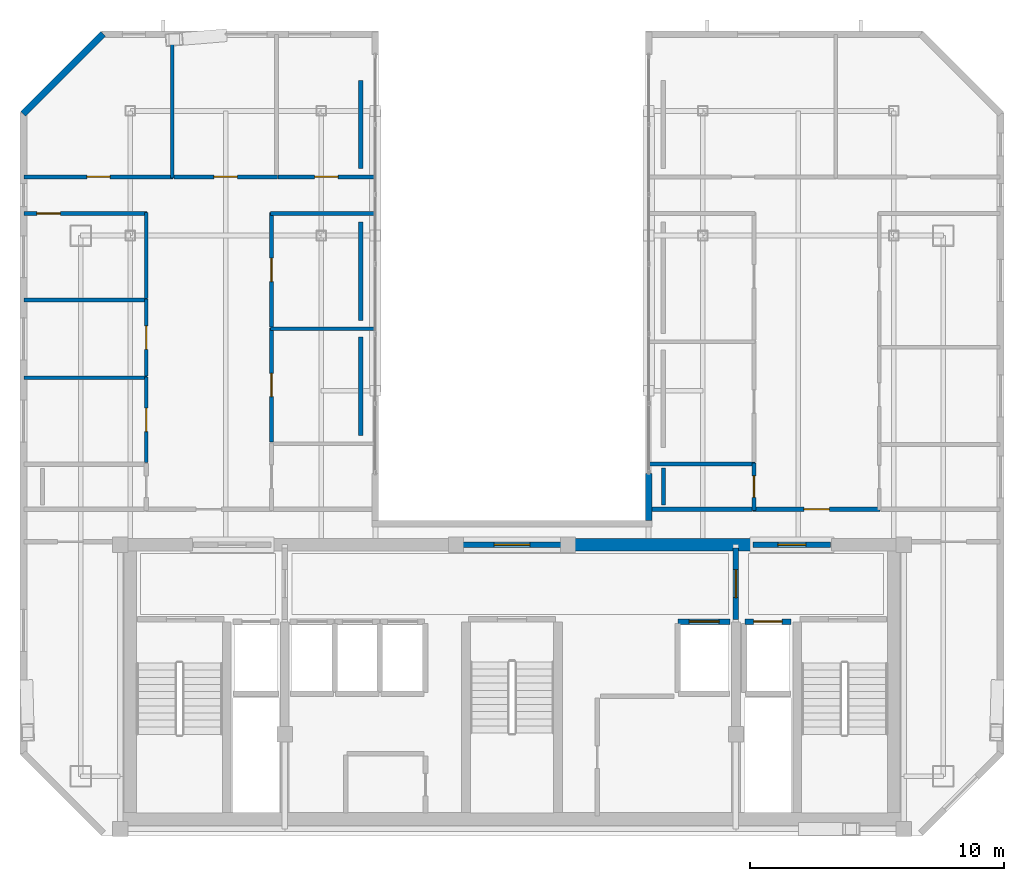
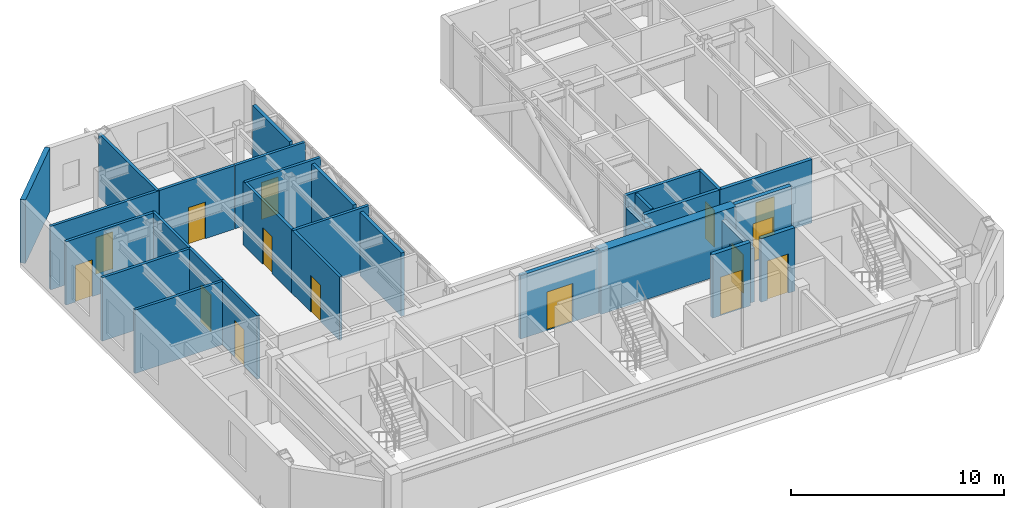
# One storey, part 15 of 18: 30 walls, 15 doors, 15 openings.
"""IFC4 building model written with IfcOpenShell, lengths in metres."""

from ifc_helpers import new_model, si_unit, direction, frame, frame_2d, origin, place, context, subcontext, project, spatial, rectangle, extrude, material, layer, layer_set, type_object, element, fill, save


model = new_model("IFC4")

# Units and contexts
model_context = context("Model", 3, precision=1e-05, world=origin(), true_north=direction((0.0, 1.0)))
body_context = subcontext(model_context, "Body", "Model", "MODEL_VIEW")
ifc_project = project(units=[si_unit("LENGTHUNIT", "METRE"), si_unit("AREAUNIT", "SQUARE_METRE"), si_unit("VOLUMEUNIT", "CUBIC_METRE"), si_unit("PLANEANGLEUNIT", "RADIAN"), si_unit("MASSUNIT", "GRAM", prefix="KILO")], contexts=[model_context])

# Site, building, storey
site_placement = place(None, origin())
site = spatial("IfcSite", under=ifc_project, at=site_placement, CompositionType="ELEMENT")
building_placement = place(site_placement, origin())
building = spatial("IfcBuilding", under=site, at=building_placement, Name="Ventersveld Concourse Tower", CompositionType="ELEMENT")
storey_placement = place(building_placement, frame((0.0, 0.0, 341.35009765625)))
storey = spatial("IfcBuildingStorey", under=building, at=storey_placement, Name="L84", CompositionType="ELEMENT", Elevation=341.35009765625)

# Wall
ifc_material_1 = material(Name="Concrete C50/60", Category="concrete")
ifc_layer_1 = layer(ifc_material_1, 0.5)
ifc_layer_set_1 = layer_set([ifc_layer_1], Name="Concrete C50/60")
wall_type_1 = type_object("IfcWallType", Name="WL-CORE-500", PredefinedType="SHEAR", material=ifc_layer_set_1)
wall_1_placement = place(storey_placement, frame((30.89990234375, 11.449951171875, 0.0), z_axis=(0.0, 0.0, 1.0), x_axis=(1.0, 0.0, 0.0)))
element("IfcWall", 1, at=wall_1_placement, inside=storey, type_object=wall_type_1, Name="L84 Rear Core North Shear Wall NMR", PredefinedType="SHEAR", context=body_context, shape_type="SweptSolid", body=[
    extrude(rectangle(XDim=7.300048828125, YDim=0.5, at=frame_2d((3.64990234375, 0.0))), origin(), (0.0, 0.0, 1.0), 3.6298828125),
])

# Wall, opening, door
ifc_material_2 = material(Name="Fire-rated autoclaved aerated masonry blockwork", Category="masonry")
ifc_layer_2 = layer(ifc_material_2, 0.179931640625)
ifc_layer_set_2 = layer_set([ifc_layer_2], Name="Fire-rated autoclaved aerated masonry blockwork")
wall_type_2 = type_object("IfcWallType", Name="WL-CORR-180", PredefinedType="PARTITIONING", material=ifc_layer_set_2)
wall_2_placement = place(storey_placement, frame((38.225341796875, 12.840087890625, 0.0), z_axis=(0.0, 0.0, 1.0), x_axis=(1.0, 0.0, 0.0)))
wall_2 = element("IfcWall", 2, at=wall_2_placement, inside=storey, type_object=wall_type_2, Name="L84 Interior Partition SP-L84-COR-E-SP-L84-84EB-LIV", PredefinedType="PARTITIONING", context=body_context, shape_type="SweptSolid", body=[
    extrude(rectangle(XDim=4.989990234375, YDim=0.179931640625, at=frame_2d((2.4951171875, 0.0))), origin(), (0.0, 0.0, 1.0), 3.6298828125),
])
opening_1_placement = place(wall_2_placement, frame((1.9951171875, 0.0, 0.0)))
opening_1 = element("IfcOpeningElement", 3, at=opening_1_placement, cuts=wall_2, Name="Opening FD3", PredefinedType="OPENING", context=body_context, shape_type="SweptSolid", body=[
    extrude(rectangle(XDim=1.0, YDim=2.14990234375, at=frame_2d((0.5, 1.074951171875))), frame((0.0, 0.10009765625, 0.0), z_axis=(0.0, -1.0, 0.0), x_axis=(1.0, 0.0, 0.0)), (0.0, 0.0, 1.0), 0.199951171875),
])
ifc_material_3 = material(Name="Solid-core hardwood veneer timber", Category="wood")
door_type_1 = type_object("IfcDoorType", Name="DR-FLAT-100", OperationType="NOTDEFINED", PredefinedType="DOOR", material=ifc_material_3)
door_1_placement = place(opening_1_placement, origin())
door_1 = element("IfcDoor", 4, at=door_1_placement, inside=storey, type_object=door_type_1, Name="L84 Interior Door SP-L84-COR-E to SP-L84-84EB-LIV (FD-L84-3781)", OperationType="SINGLE_SWING_LEFT", OverallHeight=2.14990234375, OverallWidth=1.0, PredefinedType="DOOR", context=body_context, shape_type="SweptSolid", body=[
    extrude(rectangle(XDim=1.0, YDim=2.14990234375, at=frame_2d((0.5, 1.074951171875))), frame((0.0, 0.02490234375, 0.0), z_axis=(0.0, -1.0, 0.0), x_axis=(1.0, 0.0, 0.0)), (0.0, 0.0, 1.0), 0.050048828125),
])
fill(opening_1, door_1)

# Walls
wall_3_placement = place(storey_placement, frame((34.1494140625, 12.840087890625, 0.0), z_axis=(0.0, 0.0, 1.0), x_axis=(1.0, 0.0, 0.0)))
element("IfcWall", 5, at=wall_3_placement, inside=storey, type_object=wall_type_2, Name="L84 Interior Partition SP-L84-COR-E-SP-L84-84EB-BATH", PredefinedType="PARTITIONING", context=body_context, shape_type="SweptSolid", body=[
    extrude(rectangle(XDim=4.0458984375, YDim=0.179931640625, at=frame_2d((2.02294921875, 0.0))), origin(), (0.0, 0.0, 1.0), 3.6298828125),
])
wall_4_placement = place(storey_placement, frame((22.800048828125, 19.610107421875, 0.0), z_axis=(0.0, 0.0, 1.0), x_axis=(0.0, -1.0, 0.0)))
element("IfcWall", 6, at=wall_4_placement, inside=storey, type_object=wall_type_2, Name="L84 Room Enclosure Wall SP-L84-84WA-OFFR1", PredefinedType="PARTITIONING", context=body_context, shape_type="SweptSolid", body=[
    extrude(rectangle(XDim=3.867431640625, YDim=0.179931640625, at=frame_2d((1.93359375, 0.0))), origin(), (0.0, 0.0, 1.0), 3.6298828125),
])
wall_5_placement = place(storey_placement, frame((22.800048828125, 24.14306640625, 0.0), z_axis=(0.0, 0.0, 1.0), x_axis=(0.0, -1.0, 0.0)))
element("IfcWall", 7, at=wall_5_placement, inside=storey, type_object=wall_type_2, Name="L84 Room Enclosure Wall SP-L84-84WA-SEMR3", PredefinedType="PARTITIONING", context=body_context, shape_type="SweptSolid", body=[
    extrude(rectangle(XDim=3.883056640625, YDim=0.179931640625, at=frame_2d((1.94140625, 0.0))), origin(), (0.0, 0.0, 1.0), 3.6298828125),
])
wall_6_placement = place(storey_placement, frame((22.800048828125, 29.691650390625, 0.0), z_axis=(0.0, 0.0, 1.0), x_axis=(0.0, -1.0, 0.0)))
element("IfcWall", 8, at=wall_6_placement, inside=storey, type_object=wall_type_2, Name="L84 Room Enclosure Wall SP-L84-84WA-BR3", PredefinedType="PARTITIONING", context=body_context, shape_type="SweptSolid", body=[
    extrude(rectangle(XDim=3.45849609375, YDim=0.179931640625, at=frame_2d((1.729248046875, 0.0))), origin(), (0.0, 0.0, 1.0), 3.6298828125),
])

# Wall, opening, door
ifc_layer_3 = layer(ifc_material_2, 0.219970703125)
ifc_layer_set_3 = layer_set([ifc_layer_3], Name="Fire-rated autoclaved aerated masonry blockwork")
wall_type_3 = type_object("IfcWallType", Name="WL-HOIST-220", PredefinedType="SOLIDWALL", material=ifc_layer_set_3)
wall_7_placement = place(storey_placement, frame((37.89990234375, 8.429931640625, 0.0), z_axis=(0.0, 0.0, 1.0), x_axis=(1.0, 0.0, 0.0)))
wall_7 = element("IfcWall", 9, at=wall_7_placement, inside=storey, type_object=wall_type_3, Name="L84 Lift Hoistway Front Wall FFL-02", PredefinedType="SOLIDWALL", context=body_context, shape_type="SweptSolid", body=[
    extrude(rectangle(XDim=1.820068359375, YDim=0.219970703125, at=frame_2d((0.91015625, 0.0))), origin(), (0.0, 0.0, 1.0), 3.6298828125),
])
opening_2_placement = place(wall_7_placement, frame((0.35009765625, 0.0, 0.0)))
opening_2 = element("IfcOpeningElement", 10, at=opening_2_placement, cuts=wall_7, Name="Opening LD1", PredefinedType="OPENING", context=body_context, shape_type="SweptSolid", body=[
    extrude(rectangle(XDim=1.1201171875, YDim=2.25, at=frame_2d((0.56005859375, 1.125))), frame((0.0, 0.1201171875, 0.0), z_axis=(0.0, -1.0, 0.0), x_axis=(1.0, 0.0, 0.0)), (0.0, 0.0, 1.0), 0.239990234375),
])
ifc_material_4 = material(Name="Brushed stainless steel 316", Category="steel")
door_type_2 = type_object("IfcDoorType", Name="LD-FF-112", OperationType="SLIDING_TO_LEFT", PredefinedType="DOOR", material=ifc_material_4)
door_2_placement = place(opening_2_placement, origin())
door_2 = element("IfcDoor", 11, at=door_2_placement, inside=storey, type_object=door_type_2, Name="L84 Lift landing door FFL-02 (LD-L84-FFL-02)", OperationType="SLIDING_TO_LEFT", OverallHeight=2.25, OverallWidth=1.1201171875, PredefinedType="DOOR", context=body_context, shape_type="SweptSolid", body=[
    extrude(rectangle(XDim=1.1201171875, YDim=2.25, at=frame_2d((0.56005859375, 1.125))), frame((0.0, 0.02490234375, 0.0), z_axis=(0.0, -1.0, 0.0), x_axis=(1.0, 0.0, 0.0)), (0.0, 0.0, 1.0), 0.050048828125),
])
fill(opening_2, door_2)

wall_8_placement = place(storey_placement, frame((35.280029296875, 8.429931640625, 0.0), z_axis=(0.0, 0.0, 1.0), x_axis=(1.0, 0.0, 0.0)))
wall_8 = element("IfcWall", 12, at=wall_8_placement, inside=storey, type_object=wall_type_3, Name="L84 Lift Hoistway Front Wall SVL-01", PredefinedType="SOLIDWALL", context=body_context, shape_type="SweptSolid", body=[
    extrude(rectangle(XDim=2.0400390625, YDim=0.219970703125, at=frame_2d((1.02001953125, 0.0))), origin(), (0.0, 0.0, 1.0), 3.6298828125),
])
opening_3_placement = place(wall_8_placement, frame((0.429931640625, 0.0, 0.0)))
opening_3 = element("IfcOpeningElement", 13, at=opening_3_placement, cuts=wall_8, Name="Opening LD2", PredefinedType="OPENING", context=body_context, shape_type="SweptSolid", body=[
    extrude(rectangle(XDim=1.179931640625, YDim=2.199951171875, at=frame_2d((0.58984375, 1.10009765625))), frame((0.0, 0.1201171875, 0.0), z_axis=(0.0, -1.0, 0.0), x_axis=(1.0, 0.0, 0.0)), (0.0, 0.0, 1.0), 0.239990234375),
])
door_type_3 = type_object("IfcDoorType", Name="LD-PAX-118", OperationType="SLIDING_TO_LEFT", PredefinedType="DOOR", material=ifc_material_4)
door_3_placement = place(opening_3_placement, origin())
door_3 = element("IfcDoor", 14, at=door_3_placement, inside=storey, type_object=door_type_3, Name="L84 Lift landing door SVL-01 (LD-L84-SVL-01)", OperationType="SLIDING_TO_RIGHT", OverallHeight=2.199951171875, OverallWidth=1.179931640625, PredefinedType="DOOR", context=body_context, shape_type="SweptSolid", body=[
    extrude(rectangle(XDim=1.179931640625, YDim=2.199951171875, at=frame_2d((0.58984375, 1.10009765625))), frame((0.0, 0.02490234375, 0.0), z_axis=(0.0, -1.0, 0.0), x_axis=(1.0, 0.0, 0.0)), (0.0, 0.0, 1.0), 0.050048828125),
])
fill(opening_3, door_3)

wall_9_placement = place(storey_placement, frame((37.550048828125, 8.52001953125, 0.0), z_axis=(0.0, 0.0, 1.0), x_axis=(0.0, 1.0, 0.0)))
wall_9 = element("IfcWall", 15, at=wall_9_placement, inside=storey, type_object=wall_type_3, Name="L84 Firefighting Lobby Smoke-Stop Wall FFLE-SEP", PredefinedType="SOLIDWALL", context=body_context, shape_type="SweptSolid", body=[
    extrude(rectangle(XDim=2.800048828125, YDim=0.219970703125, at=frame_2d((1.39990234375, 0.0))), origin(), (0.0, 0.0, 1.0), 3.08544921875),
])
opening_4_placement = place(wall_9_placement, frame((0.85009765625, 0.0, 0.0)))
opening_4 = element("IfcOpeningElement", 16, at=opening_4_placement, cuts=wall_9, Name="Opening FD2", PredefinedType="OPENING", context=body_context, shape_type="SweptSolid", body=[
    extrude(rectangle(XDim=1.10009765625, YDim=2.199951171875, at=frame_2d((0.550048828125, 1.10009765625))), frame((0.0, 0.1201171875, 0.0), z_axis=(0.0, -1.0, 0.0), x_axis=(1.0, 0.0, 0.0)), (0.0, 0.0, 1.0), 0.239990234375),
])
ifc_material_5 = material(Name="Galvanised painted steel", Category="steel")
door_type_4 = type_object("IfcDoorType", Name="DR-FFL-110", OperationType="NOTDEFINED", PredefinedType="DOOR", material=ifc_material_5)
door_4_placement = place(opening_4_placement, origin())
door_4 = element("IfcDoor", 17, at=door_4_placement, inside=storey, type_object=door_type_4, Name="L84 Firefighting Lobby Door FFLE-SEP (FD-L84-3772)", OperationType="SINGLE_SWING_RIGHT", OverallHeight=2.199951171875, OverallWidth=1.10009765625, PredefinedType="DOOR", context=body_context, shape_type="SweptSolid", body=[
    extrude(rectangle(XDim=1.10009765625, YDim=2.199951171875, at=frame_2d((0.550048828125, 1.10009765625))), frame((0.0, 0.02490234375, 0.0), z_axis=(0.0, -1.0, 0.0), x_axis=(1.0, 0.0, 0.0)), (0.0, 0.0, 1.0), 0.050048828125),
])
fill(opening_4, door_4)

wall_10_placement = place(storey_placement, frame((26.6298828125, 11.449951171875, 0.0), z_axis=(0.0, 0.0, 1.0), x_axis=(1.0, 0.0, 0.0)))
wall_10 = element("IfcWall", 18, at=wall_10_placement, inside=storey, type_object=wall_type_3, Name="L84 Core North Fire Portal PLOB-OUT", PredefinedType="SOLIDWALL", context=body_context, shape_type="SweptSolid", body=[
    extrude(rectangle(XDim=4.240234375, YDim=0.219970703125, at=frame_2d((2.1201171875, 0.0))), origin(), (0.0, 0.0, 1.0), 3.6298828125),
])
opening_5_placement = place(wall_10_placement, frame((1.419921875, 0.0, 0.0)))
opening_5 = element("IfcOpeningElement", 19, at=opening_5_placement, cuts=wall_10, Name="Opening FD4", PredefinedType="OPENING", context=body_context, shape_type="SweptSolid", body=[
    extrude(rectangle(XDim=1.39990234375, YDim=2.199951171875, at=frame_2d((0.699951171875, 1.10009765625))), frame((0.0, 0.1201171875, 0.0), z_axis=(0.0, -1.0, 0.0), x_axis=(1.0, 0.0, 0.0)), (0.0, 0.0, 1.0), 0.239990234375),
])
door_type_5 = type_object("IfcDoorType", Name="DR-PLANT-140", OperationType="DOUBLE_DOOR_SINGLE_SWING", PredefinedType="DOOR", material=ifc_material_5)
door_5_placement = place(opening_5_placement, origin())
door_5 = element("IfcDoor", 20, at=door_5_placement, inside=storey, type_object=door_type_5, Name="L84 Core Lobby Fire Door PLOB-OUT (FD-L84-3774)", OperationType="DOUBLE_DOOR_SINGLE_SWING", OverallHeight=2.199951171875, OverallWidth=1.39990234375, PredefinedType="DOOR", context=body_context, shape_type="SweptSolid", body=[
    extrude(rectangle(XDim=1.39990234375, YDim=2.199951171875, at=frame_2d((0.699951171875, 1.10009765625))), frame((0.0, 0.02490234375, 0.0), z_axis=(0.0, -1.0, 0.0), x_axis=(1.0, 0.0, 0.0)), (0.0, 0.0, 1.0), 0.050048828125),
])
fill(opening_5, door_5)

wall_11_placement = place(storey_placement, frame((38.22998046875, 11.449951171875, 0.0), z_axis=(0.0, 0.0, 1.0), x_axis=(1.0, 0.0, 0.0)))
wall_11 = element("IfcWall", 21, at=wall_11_placement, inside=storey, type_object=wall_type_3, Name="L84 Core North Fire Portal FFLE-OUT", PredefinedType="SOLIDWALL", context=body_context, shape_type="SweptSolid", body=[
    extrude(rectangle(XDim=3.0400390625, YDim=0.219970703125, at=frame_2d((1.52001953125, 0.0))), origin(), (0.0, 0.0, 1.0), 3.6298828125),
])
opening_6_placement = place(wall_11_placement, frame((0.969970703125, 0.0, 0.0)))
opening_6 = element("IfcOpeningElement", 22, at=opening_6_placement, cuts=wall_11, Name="Opening FD2", PredefinedType="OPENING", context=body_context, shape_type="SweptSolid", body=[
    extrude(rectangle(XDim=1.10009765625, YDim=2.199951171875, at=frame_2d((0.550048828125, 1.10009765625))), frame((0.0, 0.1201171875, 0.0), z_axis=(0.0, -1.0, 0.0), x_axis=(1.0, 0.0, 0.0)), (0.0, 0.0, 1.0), 0.239990234375),
])
door_6_placement = place(opening_6_placement, origin())
door_6 = element("IfcDoor", 23, at=door_6_placement, inside=storey, type_object=door_type_4, Name="L84 Core Lobby Fire Door FFLE-OUT (FD-L84-3775)", OperationType="SINGLE_SWING_LEFT", OverallHeight=2.199951171875, OverallWidth=1.10009765625, PredefinedType="DOOR", context=body_context, shape_type="SweptSolid", body=[
    extrude(rectangle(XDim=1.10009765625, YDim=2.199951171875, at=frame_2d((0.550048828125, 1.10009765625))), frame((0.0, 0.02490234375, 0.0), z_axis=(0.0, -1.0, 0.0), x_axis=(1.0, 0.0, 0.0)), (0.0, 0.0, 1.0), 0.050048828125),
])
fill(opening_6, door_6)

ifc_material_6 = material(Name="Autoclaved aerated masonry blockwork", Category="masonry")
ifc_layer_4 = layer(ifc_material_6, 0.14990234375)
ifc_layer_set_4 = layer_set([ifc_layer_4], Name="Autoclaved aerated masonry blockwork")
wall_type_4 = type_object("IfcWallType", Name="WL-INT-150", PredefinedType="PARTITIONING", material=ifc_layer_set_4)
wall_12_placement = place(storey_placement, frame((14.373779296875, 14.675048828125, 0.0), z_axis=(0.0, 0.0, 1.0), x_axis=(0.0, 1.0, 0.0)))
wall_12 = element("IfcWall", 24, at=wall_12_placement, inside=storey, type_object=wall_type_4, Name="L84 Interior Partition SP-L84-84WA-LIV-SP-L84-84WA-OFFL0", PredefinedType="PARTITIONING", context=body_context, shape_type="SweptSolid", body=[
    extrude(rectangle(XDim=3.369140625, YDim=0.14990234375, at=frame_2d((1.6845703125, 0.0))), origin(), (0.0, 0.0, 1.0), 3.6298828125),
])
opening_7_placement = place(wall_12_placement, frame((1.224609375, 0.0, 0.0)))
opening_7 = element("IfcOpeningElement", 25, at=opening_7_placement, cuts=wall_12, Name="Opening ID1", PredefinedType="OPENING", context=body_context, shape_type="SweptSolid", body=[
    extrude(rectangle(XDim=0.919921875, YDim=2.10009765625, at=frame_2d((0.4599609375, 1.050048828125))), frame((0.0, 0.0849609375, 0.0), z_axis=(0.0, -1.0, 0.0), x_axis=(1.0, 0.0, 0.0)), (0.0, 0.0, 1.0), 0.169921875),
])
door_type_6 = type_object("IfcDoorType", Name="DR-ROOM-092", OperationType="NOTDEFINED", PredefinedType="DOOR", material=ifc_material_3)
door_7_placement = place(opening_7_placement, origin())
door_7 = element("IfcDoor", 26, at=door_7_placement, inside=storey, type_object=door_type_6, Name="L84 Interior Door SP-L84-84WA-LIV to SP-L84-84WA-OFFL0 (D-L84-3783)", OperationType="SINGLE_SWING_LEFT", OverallHeight=2.10009765625, OverallWidth=0.919921875, PredefinedType="DOOR", context=body_context, shape_type="SweptSolid", body=[
    extrude(rectangle(XDim=0.919921875, YDim=2.10009765625, at=frame_2d((0.4599609375, 1.050048828125))), frame((0.0, 0.02490234375, 0.0), z_axis=(0.0, -1.0, 0.0), x_axis=(1.0, 0.0, 0.0)), (0.0, 0.0, 1.0), 0.050048828125),
])
fill(opening_7, door_7)

wall_13_placement = place(storey_placement, frame((14.373779296875, 18.07421875, 0.0), z_axis=(0.0, 0.0, 1.0), x_axis=(0.0, 1.0, 0.0)))
wall_13 = element("IfcWall", 27, at=wall_13_placement, inside=storey, type_object=wall_type_4, Name="L84 Interior Partition SP-L84-84WA-LIV-SP-L84-84WA-SEML2", PredefinedType="PARTITIONING", context=body_context, shape_type="SweptSolid", body=[
    extrude(rectangle(XDim=3.029541015625, YDim=0.14990234375, at=frame_2d((1.5146484375, 0.0))), origin(), (0.0, 0.0, 1.0), 3.6298828125),
])
opening_8_placement = place(wall_13_placement, frame((1.0546875, 0.0, 0.0)))
opening_8 = element("IfcOpeningElement", 28, at=opening_8_placement, cuts=wall_13, Name="Opening ID1", PredefinedType="OPENING", context=body_context, shape_type="SweptSolid", body=[
    extrude(rectangle(XDim=0.919921875, YDim=2.10009765625, at=frame_2d((0.4599609375, 1.050048828125))), frame((0.0, 0.0849609375, 0.0), z_axis=(0.0, -1.0, 0.0), x_axis=(1.0, 0.0, 0.0)), (0.0, 0.0, 1.0), 0.169921875),
])
door_8_placement = place(opening_8_placement, origin())
door_8 = element("IfcDoor", 29, at=door_8_placement, inside=storey, type_object=door_type_6, Name="L84 Interior Door SP-L84-84WA-LIV to SP-L84-84WA-SEML2 (D-L84-3784)", OperationType="SINGLE_SWING_RIGHT", OverallHeight=2.10009765625, OverallWidth=0.919921875, PredefinedType="DOOR", context=body_context, shape_type="SweptSolid", body=[
    extrude(rectangle(XDim=0.919921875, YDim=2.10009765625, at=frame_2d((0.4599609375, 1.050048828125))), frame((0.0, 0.02490234375, 0.0), z_axis=(0.0, -1.0, 0.0), x_axis=(1.0, 0.0, 0.0)), (0.0, 0.0, 1.0), 0.050048828125),
])
fill(opening_8, door_8)

wall_14_placement = place(storey_placement, frame((9.569091796875, 24.468017578125, 0.0), z_axis=(0.0, 0.0, 1.0), x_axis=(1.0, 0.0, 0.0)))
wall_14 = element("IfcWall", 30, at=wall_14_placement, inside=storey, type_object=wall_type_4, Name="L84 Interior Partition SP-L84-84WA-LIV-SP-L84-84WA-SEML4", PredefinedType="PARTITIONING", context=body_context, shape_type="SweptSolid", body=[
    extrude(rectangle(XDim=4.839599609375, YDim=0.14990234375, at=frame_2d((2.419921875, 0.0))), origin(), (0.0, 0.0, 1.0), 3.6298828125),
])
opening_9_placement = place(wall_14_placement, frame((0.5078125, 0.0, 0.0)))
opening_9 = element("IfcOpeningElement", 31, at=opening_9_placement, cuts=wall_14, Name="Opening ID1", PredefinedType="OPENING", context=body_context, shape_type="SweptSolid", body=[
    extrude(rectangle(XDim=0.919921875, YDim=2.10009765625, at=frame_2d((0.4599609375, 1.050048828125))), frame((0.0, 0.0849609375, 0.0), z_axis=(0.0, -1.0, 0.0), x_axis=(1.0, 0.0, 0.0)), (0.0, 0.0, 1.0), 0.169921875),
])
door_9_placement = place(opening_9_placement, origin())
door_9 = element("IfcDoor", 32, at=door_9_placement, inside=storey, type_object=door_type_6, Name="L84 Interior Door SP-L84-84WA-LIV to SP-L84-84WA-SEML4 (D-L84-3785)", OperationType="SINGLE_SWING_LEFT", OverallHeight=2.10009765625, OverallWidth=0.919921875, PredefinedType="DOOR", context=body_context, shape_type="SweptSolid", body=[
    extrude(rectangle(XDim=0.919921875, YDim=2.10009765625, at=frame_2d((0.4599609375, 1.050048828125))), frame((0.0, 0.02490234375, 0.0), z_axis=(0.0, -1.0, 0.0), x_axis=(1.0, 0.0, 0.0)), (0.0, 0.0, 1.0), 0.050048828125),
])
fill(opening_9, door_9)

# Wall
wall_15_placement = place(storey_placement, frame((14.373779296875, 21.1337890625, 0.0), z_axis=(0.0, 0.0, 1.0), x_axis=(0.0, 1.0, 0.0)))
element("IfcWall", 33, at=wall_15_placement, inside=storey, type_object=wall_type_4, Name="L84 Interior Partition SP-L84-84WA-LIV-SP-L84-84WA-SEML4", PredefinedType="PARTITIONING", context=body_context, shape_type="SweptSolid", body=[
    extrude(rectangle(XDim=3.369384765625, YDim=0.14990234375, at=frame_2d((1.6845703125, 0.0))), origin(), (0.0, 0.0, 1.0), 3.6298828125),
])

# Wall, opening, door
wall_16_placement = place(storey_placement, frame((19.293701171875, 15.482666015625, 0.0), z_axis=(0.0, 0.0, 1.0), x_axis=(0.0, 1.0, 0.0)))
wall_16 = element("IfcWall", 34, at=wall_16_placement, inside=storey, type_object=wall_type_4, Name="L84 Interior Partition SP-L84-84WA-LIV-SP-L84-84WA-OFFR1", PredefinedType="PARTITIONING", context=body_context, shape_type="SweptSolid", body=[
    extrude(rectangle(XDim=4.487548828125, YDim=0.14990234375, at=frame_2d((2.24365234375, 0.0))), origin(), (0.0, 0.0, 1.0), 3.6298828125),
])
opening_10_placement = place(wall_16_placement, frame((1.78369140625, 0.0, 0.0)))
opening_10 = element("IfcOpeningElement", 35, at=opening_10_placement, cuts=wall_16, Name="Opening ID1", PredefinedType="OPENING", context=body_context, shape_type="SweptSolid", body=[
    extrude(rectangle(XDim=0.919921875, YDim=2.10009765625, at=frame_2d((0.4599609375, 1.050048828125))), frame((0.0, 0.0849609375, 0.0), z_axis=(0.0, -1.0, 0.0), x_axis=(1.0, 0.0, 0.0)), (0.0, 0.0, 1.0), 0.169921875),
])
door_10_placement = place(opening_10_placement, origin())
door_10 = element("IfcDoor", 36, at=door_10_placement, inside=storey, type_object=door_type_6, Name="L84 Interior Door SP-L84-84WA-LIV to SP-L84-84WA-OFFR1 (D-L84-3787)", OperationType="SINGLE_SWING_LEFT", OverallHeight=2.10009765625, OverallWidth=0.919921875, PredefinedType="DOOR", context=body_context, shape_type="SweptSolid", body=[
    extrude(rectangle(XDim=0.919921875, YDim=2.10009765625, at=frame_2d((0.4599609375, 1.050048828125))), frame((0.0, 0.02490234375, 0.0), z_axis=(0.0, -1.0, 0.0), x_axis=(1.0, 0.0, 0.0)), (0.0, 0.0, 1.0), 0.050048828125),
])
fill(opening_10, door_10)

wall_17_placement = place(storey_placement, frame((19.293701171875, 20.0, 0.0), z_axis=(0.0, 0.0, 1.0), x_axis=(0.0, 1.0, 0.0)))
wall_17 = element("IfcWall", 37, at=wall_17_placement, inside=storey, type_object=wall_type_4, Name="L84 Interior Partition SP-L84-84WA-LIV-SP-L84-84WA-SEMR3", PredefinedType="PARTITIONING", context=body_context, shape_type="SweptSolid", body=[
    extrude(rectangle(XDim=4.503173828125, YDim=0.14990234375, at=frame_2d((2.25146484375, 0.0))), origin(), (0.0, 0.0, 1.0), 3.6298828125),
])
opening_11_placement = place(wall_17_placement, frame((1.79150390625, 0.0, 0.0)))
opening_11 = element("IfcOpeningElement", 38, at=opening_11_placement, cuts=wall_17, Name="Opening ID1", PredefinedType="OPENING", context=body_context, shape_type="SweptSolid", body=[
    extrude(rectangle(XDim=0.919921875, YDim=2.10009765625, at=frame_2d((0.4599609375, 1.050048828125))), frame((0.0, 0.0849609375, 0.0), z_axis=(0.0, -1.0, 0.0), x_axis=(1.0, 0.0, 0.0)), (0.0, 0.0, 1.0), 0.169921875),
])
door_11_placement = place(opening_11_placement, origin())
door_11 = element("IfcDoor", 39, at=door_11_placement, inside=storey, type_object=door_type_6, Name="L84 Interior Door SP-L84-84WA-LIV to SP-L84-84WA-SEMR3 (D-L84-3788)", OperationType="SINGLE_SWING_RIGHT", OverallHeight=2.10009765625, OverallWidth=0.919921875, PredefinedType="DOOR", context=body_context, shape_type="SweptSolid", body=[
    extrude(rectangle(XDim=0.919921875, YDim=2.10009765625, at=frame_2d((0.4599609375, 1.050048828125))), frame((0.0, 0.02490234375, 0.0), z_axis=(0.0, -1.0, 0.0), x_axis=(1.0, 0.0, 0.0)), (0.0, 0.0, 1.0), 0.050048828125),
])
fill(opening_11, door_11)

# Wall
wall_18_placement = place(storey_placement, frame((19.2587890625, 24.468017578125, 0.0), z_axis=(0.0, 0.0, 1.0), x_axis=(1.0, 0.0, 0.0)))
element("IfcWall", 40, at=wall_18_placement, inside=storey, type_object=wall_type_4, Name="L84 Interior Partition SP-L84-84WA-LIV-SP-L84-84WA-SEMR3", PredefinedType="PARTITIONING", context=body_context, shape_type="SweptSolid", body=[
    extrude(rectangle(XDim=4.09326171875, YDim=0.14990234375, at=frame_2d((2.046630859375, 0.0))), origin(), (0.0, 0.0, 1.0), 3.6298828125),
])

# Wall, opening, door
wall_19_placement = place(storey_placement, frame((9.569091796875, 25.908203125, 0.0), z_axis=(0.0, 0.0, 1.0), x_axis=(1.0, 0.0, 0.0)))
wall_19 = element("IfcWall", 41, at=wall_19_placement, inside=storey, type_object=wall_type_4, Name="L84 Interior Partition SP-L84-84WA-LIV-SP-L84-84WA-BR1", PredefinedType="PARTITIONING", context=body_context, shape_type="SweptSolid", body=[
    extrude(rectangle(XDim=5.860595703125, YDim=0.14990234375, at=frame_2d((2.93017578125, 0.0))), origin(), (0.0, 0.0, 1.0), 3.6298828125),
])
opening_12_placement = place(wall_19_placement, frame((2.47021484375, 0.0, 0.0)))
opening_12 = element("IfcOpeningElement", 42, at=opening_12_placement, cuts=wall_19, Name="Opening ID1", PredefinedType="OPENING", context=body_context, shape_type="SweptSolid", body=[
    extrude(rectangle(XDim=0.919921875, YDim=2.10009765625, at=frame_2d((0.4599609375, 1.050048828125))), frame((0.0, 0.0849609375, 0.0), z_axis=(0.0, -1.0, 0.0), x_axis=(1.0, 0.0, 0.0)), (0.0, 0.0, 1.0), 0.169921875),
])
door_12_placement = place(opening_12_placement, origin())
door_12 = element("IfcDoor", 43, at=door_12_placement, inside=storey, type_object=door_type_6, Name="L84 Interior Door SP-L84-84WA-LIV to SP-L84-84WA-BR1 (D-L84-3789)", OperationType="SINGLE_SWING_LEFT", OverallHeight=2.10009765625, OverallWidth=0.919921875, PredefinedType="DOOR", context=body_context, shape_type="SweptSolid", body=[
    extrude(rectangle(XDim=0.919921875, YDim=2.10009765625, at=frame_2d((0.4599609375, 1.050048828125))), frame((0.0, 0.02490234375, 0.0), z_axis=(0.0, -1.0, 0.0), x_axis=(1.0, 0.0, 0.0)), (0.0, 0.0, 1.0), 0.050048828125),
])
fill(opening_12, door_12)

wall_20_placement = place(storey_placement, frame((15.459716796875, 25.908203125, 0.0), z_axis=(0.0, 0.0, 1.0), x_axis=(1.0, 0.0, 0.0)))
wall_20 = element("IfcWall", 44, at=wall_20_placement, inside=storey, type_object=wall_type_4, Name="L84 Interior Partition SP-L84-84WA-LIV-SP-L84-84WA-BR2", PredefinedType="PARTITIONING", context=body_context, shape_type="SweptSolid", body=[
    extrude(rectangle(XDim=4.065185546875, YDim=0.14990234375, at=frame_2d((2.03271484375, 0.0))), origin(), (0.0, 0.0, 1.0), 3.6298828125),
])
opening_13_placement = place(wall_20_placement, frame((1.572509765625, 0.0, 0.0)))
opening_13 = element("IfcOpeningElement", 45, at=opening_13_placement, cuts=wall_20, Name="Opening ID1", PredefinedType="OPENING", context=body_context, shape_type="SweptSolid", body=[
    extrude(rectangle(XDim=0.919921875, YDim=2.10009765625, at=frame_2d((0.4599609375, 1.050048828125))), frame((0.0, 0.0849609375, 0.0), z_axis=(0.0, -1.0, 0.0), x_axis=(1.0, 0.0, 0.0)), (0.0, 0.0, 1.0), 0.169921875),
])
door_13_placement = place(opening_13_placement, origin())
door_13 = element("IfcDoor", 46, at=door_13_placement, inside=storey, type_object=door_type_6, Name="L84 Interior Door SP-L84-84WA-LIV to SP-L84-84WA-BR2 (D-L84-3790)", OperationType="SINGLE_SWING_RIGHT", OverallHeight=2.10009765625, OverallWidth=0.919921875, PredefinedType="DOOR", context=body_context, shape_type="SweptSolid", body=[
    extrude(rectangle(XDim=0.919921875, YDim=2.10009765625, at=frame_2d((0.4599609375, 1.050048828125))), frame((0.0, 0.02490234375, 0.0), z_axis=(0.0, -1.0, 0.0), x_axis=(1.0, 0.0, 0.0)), (0.0, 0.0, 1.0), 0.050048828125),
])
fill(opening_13, door_13)

wall_21_placement = place(storey_placement, frame((19.554931640625, 25.908203125, 0.0), z_axis=(0.0, 0.0, 1.0), x_axis=(1.0, 0.0, 0.0)))
wall_21 = element("IfcWall", 47, at=wall_21_placement, inside=storey, type_object=wall_type_4, Name="L84 Interior Partition SP-L84-84WA-LIV-SP-L84-84WA-BR3", PredefinedType="PARTITIONING", context=body_context, shape_type="SweptSolid", body=[
    extrude(rectangle(XDim=3.797119140625, YDim=0.14990234375, at=frame_2d((1.8984375, 0.0))), origin(), (0.0, 0.0, 1.0), 3.6298828125),
])
opening_14_placement = place(wall_21_placement, frame((1.438720703125, 0.0, 0.0)))
opening_14 = element("IfcOpeningElement", 48, at=opening_14_placement, cuts=wall_21, Name="Opening ID1", PredefinedType="OPENING", context=body_context, shape_type="SweptSolid", body=[
    extrude(rectangle(XDim=0.919921875, YDim=2.10009765625, at=frame_2d((0.4599609375, 1.050048828125))), frame((0.0, 0.0849609375, 0.0), z_axis=(0.0, -1.0, 0.0), x_axis=(1.0, 0.0, 0.0)), (0.0, 0.0, 1.0), 0.169921875),
])
door_14_placement = place(opening_14_placement, origin())
door_14 = element("IfcDoor", 49, at=door_14_placement, inside=storey, type_object=door_type_6, Name="L84 Interior Door SP-L84-84WA-LIV to SP-L84-84WA-BR3 (D-L84-3791)", OperationType="SINGLE_SWING_LEFT", OverallHeight=2.10009765625, OverallWidth=0.919921875, PredefinedType="DOOR", context=body_context, shape_type="SweptSolid", body=[
    extrude(rectangle(XDim=0.919921875, YDim=2.10009765625, at=frame_2d((0.4599609375, 1.050048828125))), frame((0.0, 0.02490234375, 0.0), z_axis=(0.0, -1.0, 0.0), x_axis=(1.0, 0.0, 0.0)), (0.0, 0.0, 1.0), 0.050048828125),
])
fill(opening_14, door_14)

# Walls
for number, where, z_axis, x_axis, name in (
    (50, (9.569091796875, 18.009033203125, 0.0), (0.0, 0.0, 1.0), (1.0, 0.0, 0.0), "L84 Interior Partition SP-L84-84WA-OFFL0-SP-L84-84WA-SEML2"),
    (51, (9.569091796875, 21.068603515625, 0.0), (0.0, 0.0, 1.0), (1.0, 0.0, 0.0), "L84 Interior Partition SP-L84-84WA-SEML2-SP-L84-84WA-SEML4"),
):
    element("IfcWall", number, at=place(storey_placement, frame(where, z_axis=z_axis, x_axis=x_axis)), inside=storey, type_object=wall_type_4, Name=name, PredefinedType="PARTITIONING", context=body_context, shape_type="SweptSolid", body=[
        extrude(rectangle(XDim=4.839599609375, YDim=0.14990234375, at=frame_2d((2.419921875, 0.0))), origin(), (0.0, 0.0, 1.0), 3.6298828125),
    ])
wall_22_placement = place(storey_placement, frame((19.2587890625, 19.93505859375, 0.0), z_axis=(0.0, 0.0, 1.0), x_axis=(1.0, 0.0, 0.0)))
element("IfcWall", 52, at=wall_22_placement, inside=storey, type_object=wall_type_4, Name="L84 Interior Partition SP-L84-84WA-OFFR1-SP-L84-84WA-SEMR3", PredefinedType="PARTITIONING", context=body_context, shape_type="SweptSolid", body=[
    extrude(rectangle(XDim=4.09326171875, YDim=0.14990234375, at=frame_2d((2.046630859375, 0.0))), origin(), (0.0, 0.0, 1.0), 3.6298828125),
])
wall_23_placement = place(storey_placement, frame((15.394775390625, 25.873046875, 0.0), z_axis=(0.0, 0.0, 1.0), x_axis=(0.0, 1.0, 0.0)))
element("IfcWall", 53, at=wall_23_placement, inside=storey, type_object=wall_type_4, Name="L84 Interior Partition SP-L84-84WA-BR1-SP-L84-84WA-BR2", PredefinedType="PARTITIONING", context=body_context, shape_type="SweptSolid", body=[
    extrude(rectangle(XDim=5.443359375, YDim=0.14990234375, at=frame_2d((2.7216796875, 0.0))), origin(), (0.0, 0.0, 1.0), 3.6298828125),
])
ifc_material_7 = material(Name="Precast concrete C45/55", Category="concrete")
ifc_layer_5 = layer(ifc_material_7, 0.260009765625)
ifc_layer_set_5 = layer_set([ifc_layer_5], Name="Precast concrete C45/55")
wall_type_5 = type_object("IfcWallType", Name="WL-PREC-260", PredefinedType="SOLIDWALL", material=ifc_layer_set_5)
wall_24_placement = place(storey_placement, frame((34.1298828125, 12.39990234375, 0.0), z_axis=(0.0, 0.0, 1.0), x_axis=(0.0, 1.0, 0.0)))
element("IfcWall", 54, at=wall_24_placement, inside=storey, type_object=wall_type_5, Name="L84 Wind Portal South Cheek Pier", PredefinedType="SOLIDWALL", context=body_context, shape_type="SweptSolid", body=[
    extrude(rectangle(XDim=1.85009765625, YDim=0.260009765625, at=frame_2d((0.925048828125, 0.0))), origin(), (0.0, 0.0, 1.0), 3.169921875),
])
wall_25_placement = place(storey_placement, frame((12.68310546875, 31.52783203125, 0.0), z_axis=(0.0, 0.0, 1.0), x_axis=(-0.707106781187, -0.707106781187, 0.0)))
element("IfcWall", 55, at=wall_25_placement, inside=storey, type_object=wall_type_5, Name="L84 Highveld Precast Facade Wall E10", PredefinedType="SOLIDWALL", context=body_context, shape_type="SweptSolid", body=[
    extrude(rectangle(XDim=4.4453125, YDim=0.260009765625, at=frame_2d((2.22265625, 0.0))), origin(), (0.0, 0.0, 1.0), 3.6298828125),
])

# Wall, opening, door
ifc_layer_6 = layer(ifc_material_6, 0.1650390625)
ifc_layer_set_6 = layer_set([ifc_layer_6], Name="Autoclaved aerated masonry blockwork")
wall_type_6 = type_object("IfcWallType", Name="WL-WET-165", PredefinedType="PLUMBINGWALL", material=ifc_layer_set_6)
wall_26_placement = place(storey_placement, frame((38.26025390625, 12.804931640625, 0.0), z_axis=(0.0, 0.0, 1.0), x_axis=(0.0, 1.0, 0.0)))
wall_26 = element("IfcWall", 56, at=wall_26_placement, inside=storey, type_object=wall_type_6, Name="L84 Interior Partition SP-L84-84EB-LIV-SP-L84-84EB-BATH", PredefinedType="PLUMBINGWALL", context=body_context, shape_type="SweptSolid", body=[
    extrude(rectangle(XDim=1.856689453125, YDim=0.1650390625, at=frame_2d((0.92822265625, 0.0))), origin(), (0.0, 0.0, 1.0), 3.6298828125),
])
opening_15_placement = place(wall_26_placement, frame((0.50341796875, 0.0, 0.0)))
opening_15 = element("IfcOpeningElement", 57, at=opening_15_placement, cuts=wall_26, Name="Opening ID2", PredefinedType="OPENING", context=body_context, shape_type="SweptSolid", body=[
    extrude(rectangle(XDim=0.85009765625, YDim=2.10009765625, at=frame_2d((0.425048828125, 1.050048828125))), frame((0.0, 0.092529296875, 0.0), z_axis=(0.0, -1.0, 0.0), x_axis=(1.0, 0.0, 0.0)), (0.0, 0.0, 1.0), 0.18505859375),
])
door_type_7 = type_object("IfcDoorType", Name="DR-BATH-085", OperationType="NOTDEFINED", PredefinedType="DOOR", material=ifc_material_3)
door_15_placement = place(opening_15_placement, origin())
door_15 = element("IfcDoor", 58, at=door_15_placement, inside=storey, type_object=door_type_7, Name="L84 Interior Door SP-L84-84EB-LIV to SP-L84-84EB-BATH (D-L84-3792)", OperationType="SINGLE_SWING_RIGHT", OverallHeight=2.10009765625, OverallWidth=0.85009765625, PredefinedType="DOOR", context=body_context, shape_type="SweptSolid", body=[
    extrude(rectangle(XDim=0.85009765625, YDim=2.10009765625, at=frame_2d((0.425048828125, 1.050048828125))), frame((0.0, 0.02490234375, 0.0), z_axis=(0.0, -1.0, 0.0), x_axis=(1.0, 0.0, 0.0)), (0.0, 0.0, 1.0), 0.050048828125),
])
fill(opening_15, door_15)

# Walls
wall_27_placement = place(storey_placement, frame((34.14794921875, 14.62646484375, 0.0), z_axis=(0.0, 0.0, 1.0), x_axis=(1.0, 0.0, 0.0)))
element("IfcWall", 59, at=wall_27_placement, inside=storey, type_object=wall_type_6, Name="L84 Interior Partition SP-L84-84EB-BATH-SP-L84-84EB-OFFL0", PredefinedType="PLUMBINGWALL", context=body_context, shape_type="SweptSolid", body=[
    extrude(rectangle(XDim=4.1474609375, YDim=0.1650390625, at=frame_2d((2.07373046875, 0.0))), origin(), (0.0, 0.0, 1.0), 3.6298828125),
])
wall_28_placement = place(storey_placement, frame((34.699951171875, 13.0048828125, 0.0), z_axis=(0.0, 0.0, 1.0), x_axis=(0.0, 1.0, 0.0)))
element("IfcWall", 60, at=wall_28_placement, inside=storey, type_object=wall_type_6, Name="L84 Room Enclosure Wall SP-L84-84EB-BATH", PredefinedType="PLUMBINGWALL", context=body_context, shape_type="SweptSolid", body=[
    extrude(rectangle(XDim=1.45654296875, YDim=0.1650390625, at=frame_2d((0.728271484375, 0.0))), origin(), (0.0, 0.0, 1.0), 3.6298828125),
])

save(model, "model.ifc")
